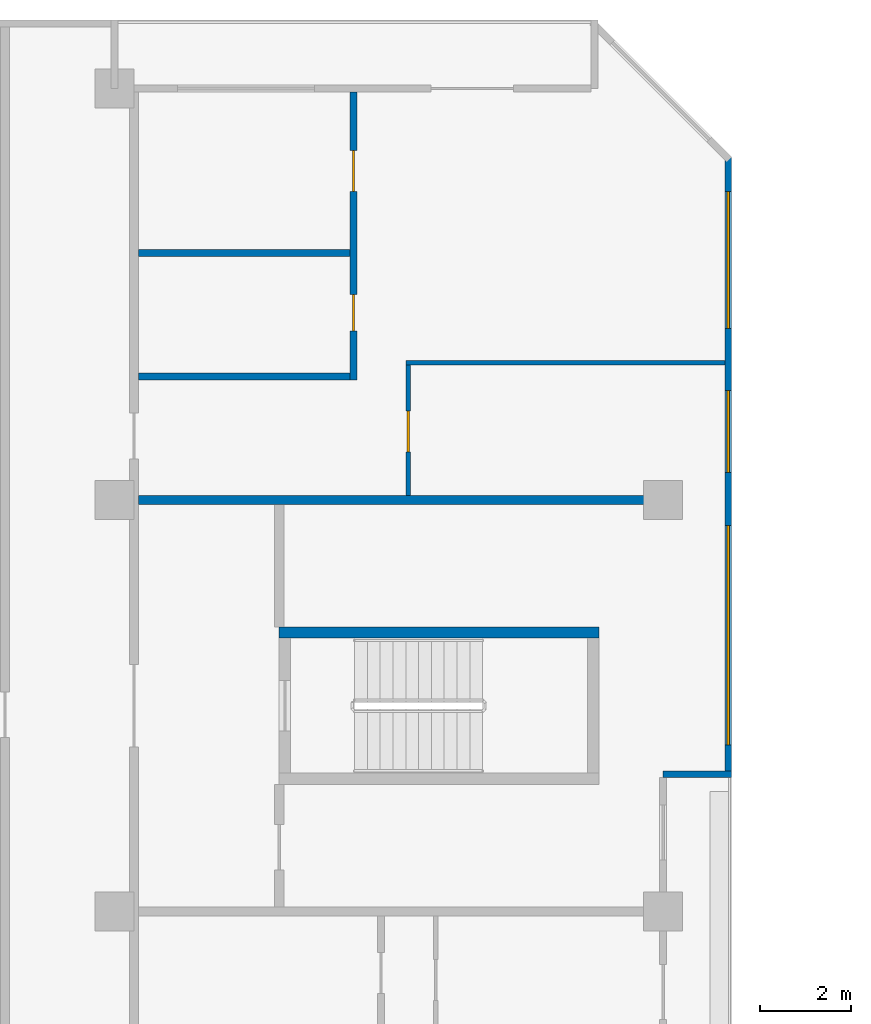
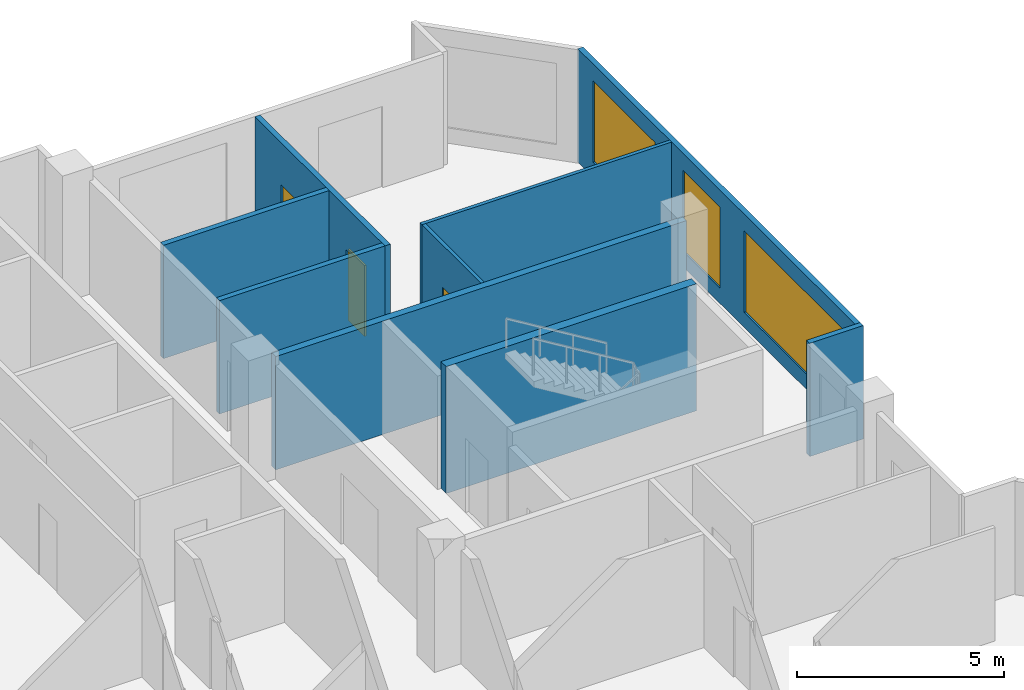
# One storey, part 11 of 15: 9 walls, 3 doors, 3 windows, 6 openings.
"""IFC4 building model written with IfcOpenShell, lengths in metres."""

from ifc_helpers import new_model, si_unit, direction, frame, frame_2d, origin, place, context, subcontext, project, spatial, rectangle, extrude, material, layer, layer_set, type_object, element, fill, save


model = new_model("IFC4")

# Units and contexts
model_context = context("Model", 3, precision=1e-05, world=origin(), true_north=direction((0.0, 1.0)))
body_context = subcontext(model_context, "Body", "Model", "MODEL_VIEW")
ifc_project = project(units=[si_unit("LENGTHUNIT", "METRE"), si_unit("AREAUNIT", "SQUARE_METRE"), si_unit("VOLUMEUNIT", "CUBIC_METRE"), si_unit("PLANEANGLEUNIT", "RADIAN"), si_unit("MASSUNIT", "GRAM", prefix="KILO")], contexts=[model_context])

# Site, building, storey
site_placement = place(None, origin())
site = spatial("IfcSite", under=ifc_project, at=site_placement, CompositionType="ELEMENT")
building_placement = place(site_placement, origin())
building = spatial("IfcBuilding", under=site, at=building_placement, Name="Chenar Terraces", CompositionType="ELEMENT")
storey_placement = place(building_placement, frame((0.0, 0.0, 249.14990234375)))
storey = spatial("IfcBuildingStorey", under=building, at=storey_placement, Name="L59", CompositionType="ELEMENT", Elevation=249.14990234375)

# Wall
ifc_material_1 = material(Name="Concrete C60/75", Category="concrete")
ifc_layer_1 = layer(ifc_material_1, 0.25)
ifc_layer_set_1 = layer_set([ifc_layer_1], Name="Concrete C60/75")
wall_type_1 = type_object("IfcWallType", Name="Core wall 250 Concrete C60/75", PredefinedType="SHEAR", material=ifc_layer_set_1)
wall_1_placement = place(storey_placement, frame((15.60009765625, 51.10009765625, 0.0), z_axis=(0.0, 0.0, 1.0), x_axis=(1.0, 0.0, 0.0)))
element("IfcWall", 1, at=wall_1_placement, inside=storey, type_object=wall_type_1, Name="Core wall ST4_N L59", PredefinedType="SHEAR", context=body_context, shape_type="SweptSolid", body=[
    extrude(rectangle(XDim=7.0, YDim=0.25, at=frame_2d((3.5, 0.0))), origin(), (0.0, 0.0, 1.0), 3.75),
])

# Wall, openings, windows
ifc_material_2 = material(Name="Aluminium framed glazing", Category="aluminium")
ifc_layer_2 = layer(ifc_material_2, 0.14990234375)
ifc_layer_set_2 = layer_set([ifc_layer_2], Name="Aluminium framed glazing")
wall_type_2 = type_object("IfcWallType", Name="Glazed flush facade wall 150", PredefinedType="SOLIDWALL", material=ifc_layer_set_2)
wall_2_placement = place(storey_placement, frame((25.425048828125, 48.074951171875, 0.0), z_axis=(0.0, 0.0, 1.0), x_axis=(0.0, 1.0, 0.0)))
wall_2 = element("IfcWall", 2, at=wall_2_placement, inside=storey, type_object=wall_type_2, Name="Glazed flush facade wall", PredefinedType="SOLIDWALL", context=body_context, shape_type="SweptSolid", body=[
    extrude(rectangle(XDim=13.425048828125, YDim=0.14990234375, at=frame_2d((6.71240234375, 0.0))), origin(), (0.0, 0.0, 1.0), 3.35009765625),
])
opening_1_placement = place(wall_2_placement, frame((0.5625, 0.0, 0.449951171875)))
opening_1 = element("IfcOpeningElement", 3, at=opening_1_placement, cuts=wall_2, Name="Opening W480x240", PredefinedType="OPENING", context=body_context, shape_type="SweptSolid", body=[
    extrude(rectangle(XDim=4.800048828125, YDim=2.39990234375, at=frame_2d((2.39990234375, 1.199951171875))), frame((0.0, 0.0849609375, 0.0), z_axis=(0.0, -1.0, 0.0), x_axis=(1.0, 0.0, 0.0)), (0.0, 0.0, 1.0), 0.169921875),
])
opening_2_placement = place(wall_2_placement, frame((6.52490234375, 0.0, 0.449951171875)))
opening_2 = element("IfcOpeningElement", 4, at=opening_2_placement, cuts=wall_2, Name="Opening W180x240", PredefinedType="OPENING", context=body_context, shape_type="SweptSolid", body=[
    extrude(rectangle(XDim=1.800048828125, YDim=2.39990234375, at=frame_2d((0.89990234375, 1.199951171875))), frame((0.0, 0.0849609375, 0.0), z_axis=(0.0, -1.0, 0.0), x_axis=(1.0, 0.0, 0.0)), (0.0, 0.0, 1.0), 0.169921875),
])
opening_3_placement = place(wall_2_placement, frame((9.675048828125, 0.0, 0.449951171875)))
opening_3 = element("IfcOpeningElement", 5, at=opening_3_placement, cuts=wall_2, Name="Opening W300x240", PredefinedType="OPENING", context=body_context, shape_type="SweptSolid", body=[
    extrude(rectangle(XDim=3.0, YDim=2.39990234375, at=frame_2d((1.5, 1.199951171875))), frame((0.0, 0.0849609375, 0.0), z_axis=(0.0, -1.0, 0.0), x_axis=(1.0, 0.0, 0.0)), (0.0, 0.0, 1.0), 0.169921875),
])
ifc_material_3 = material(Name="Low emissivity double glazing, aluminium frame", Category="aluminium")
window_type_1 = type_object("IfcWindowType", Name="Fixed light 1800 x 2400", PartitioningType="SINGLE_PANEL", PredefinedType="WINDOW", material=ifc_material_3)
window_1_placement = place(opening_2_placement, origin())
window_1 = element("IfcWindow", 6, at=window_1_placement, inside=storey, type_object=window_type_1, Name="Window", OverallHeight=2.39990234375, OverallWidth=1.800048828125, PartitioningType="SINGLE_PANEL", PredefinedType="WINDOW", context=body_context, shape_type="SweptSolid", body=[
    extrude(rectangle(XDim=1.800048828125, YDim=2.39990234375, at=frame_2d((0.89990234375, 1.199951171875))), frame((0.0, 0.030029296875, 0.0), z_axis=(0.0, -1.0, 0.0), x_axis=(1.0, 0.0, 0.0)), (0.0, 0.0, 1.0), 0.06005859375),
])
fill(opening_2, window_1)
ifc_material_4 = material(Name="Low emissivity double glazing, aluminium frame", Category="aluminium")
window_type_2 = type_object("IfcWindowType", Name="Fixed light 3000 x 2400", PartitioningType="SINGLE_PANEL", PredefinedType="WINDOW", material=ifc_material_4)
window_2_placement = place(opening_3_placement, origin())
window_2 = element("IfcWindow", 7, at=window_2_placement, inside=storey, type_object=window_type_2, Name="Window", OverallHeight=2.39990234375, OverallWidth=3.0, PartitioningType="SINGLE_PANEL", PredefinedType="WINDOW", context=body_context, shape_type="SweptSolid", body=[
    extrude(rectangle(XDim=3.0, YDim=2.39990234375, at=frame_2d((1.5, 1.199951171875))), frame((0.0, 0.030029296875, 0.0), z_axis=(0.0, -1.0, 0.0), x_axis=(1.0, 0.0, 0.0)), (0.0, 0.0, 1.0), 0.06005859375),
])
fill(opening_3, window_2)
ifc_material_5 = material(Name="Low emissivity double glazing, aluminium frame", Category="aluminium")
window_type_3 = type_object("IfcWindowType", Name="Fixed light 4800 x 2400", PartitioningType="SINGLE_PANEL", PredefinedType="WINDOW", material=ifc_material_5)
window_3_placement = place(opening_1_placement, origin())
window_3 = element("IfcWindow", 8, at=window_3_placement, inside=storey, type_object=window_type_3, Name="Window", OverallHeight=2.39990234375, OverallWidth=4.800048828125, PartitioningType="SINGLE_PANEL", PredefinedType="WINDOW", context=body_context, shape_type="SweptSolid", body=[
    extrude(rectangle(XDim=4.800048828125, YDim=2.39990234375, at=frame_2d((2.39990234375, 1.199951171875))), frame((0.0, 0.030029296875, 0.0), z_axis=(0.0, -1.0, 0.0), x_axis=(1.0, 0.0, 0.0)), (0.0, 0.0, 1.0), 0.06005859375),
])
fill(opening_1, window_3)

# Wall
ifc_material_6 = material(Name="Gypsum board on steel studs", Category="steel")
ifc_layer_3 = layer(ifc_material_6, 0.10009765625)
ifc_layer_set_3 = layer_set([ifc_layer_3], Name="Gypsum board on steel studs")
wall_type_3 = type_object("IfcWallType", Name="Gypsum partition 100", PredefinedType="PARTITIONING", material=ifc_layer_set_3)
wall_3_placement = place(storey_placement, frame((18.375, 57.0, 0.0), z_axis=(0.0, 0.0, 1.0), x_axis=(1.0, 0.0, 0.0)))
element("IfcWall", 9, at=wall_3_placement, inside=storey, type_object=wall_type_3, Name="Partition L59-050", PredefinedType="PARTITIONING", context=body_context, shape_type="SweptSolid", body=[
    extrude(rectangle(XDim=6.97509765625, YDim=0.10009765625, at=frame_2d((3.487548828125, 0.0))), origin(), (0.0, 0.0, 1.0), 3.35009765625),
])

# Wall, opening, door
wall_4_placement = place(storey_placement, frame((18.425048828125, 54.10009765625, 0.0), z_axis=(0.0, 0.0, 1.0), x_axis=(0.0, 1.0, 0.0)))
wall_4 = element("IfcWall", 10, at=wall_4_placement, inside=storey, type_object=wall_type_3, Name="Partition L59-051", PredefinedType="PARTITIONING", context=body_context, shape_type="SweptSolid", body=[
    extrude(rectangle(XDim=2.849853515625, YDim=0.10009765625, at=frame_2d((1.4248046875, 0.0))), origin(), (0.0, 0.0, 1.0), 3.35009765625),
])
opening_4_placement = place(wall_4_placement, frame((0.949951171875, 0.0, 0.0)))
opening_4 = element("IfcOpeningElement", 11, at=opening_4_placement, cuts=wall_4, Name="Opening DL59-23", PredefinedType="OPENING", context=body_context, shape_type="SweptSolid", body=[
    extrude(rectangle(XDim=0.89990234375, YDim=2.10009765625, at=frame_2d((0.449951171875, 1.050048828125))), frame((0.0, 0.06005859375, 0.0), z_axis=(0.0, -1.0, 0.0), x_axis=(1.0, 0.0, 0.0)), (0.0, 0.0, 1.0), 0.1201171875),
])
ifc_material_7 = material(Name="Veneered timber door leaf", Category="wood")
door_type_1 = type_object("IfcDoorType", Name="Door 900 x 2100", OperationType="SINGLE_SWING_LEFT", PredefinedType="DOOR", material=ifc_material_7)
door_1_placement = place(opening_4_placement, frame((0.89990234375, 0.0, 0.0), z_axis=(0.0, 0.0, 1.0), x_axis=(-1.0, 0.0, 0.0)))
door_1 = element("IfcDoor", 12, at=door_1_placement, inside=storey, type_object=door_type_1, Name="Door DL59-23", OperationType="SINGLE_SWING_LEFT", OverallHeight=2.10009765625, OverallWidth=0.89990234375, PredefinedType="DOOR", context=body_context, shape_type="SweptSolid", body=[
    extrude(rectangle(XDim=0.89990234375, YDim=2.10009765625, at=frame_2d((0.449951171875, 1.050048828125))), frame((0.0, 0.02490234375, 0.0), z_axis=(0.0, -1.0, 0.0), x_axis=(1.0, 0.0, 0.0)), (0.0, 0.0, 1.0), 0.050048828125),
])
fill(opening_4, door_1)

# Walls
ifc_material_8 = material(Name="Terracotta cladding on insulated backing", Category="masonry")
ifc_layer_4 = layer(ifc_material_8, 0.14990234375)
ifc_layer_set_4 = layer_set([ifc_layer_4], Name="Terracotta cladding on insulated backing")
wall_type_4 = type_object("IfcWallType", Name="Loggia return wall 150", PredefinedType="SOLIDWALL", material=ifc_layer_set_4)
wall_5_placement = place(storey_placement, frame((25.5, 48.0, 0.0), z_axis=(0.0, 0.0, 1.0), x_axis=(-1.0, 0.0, 0.0)))
element("IfcWall", 13, at=wall_5_placement, inside=storey, type_object=wall_type_4, Name="Loggia return wall", PredefinedType="SOLIDWALL", context=body_context, shape_type="SweptSolid", body=[
    extrude(rectangle(XDim=1.5, YDim=0.14990234375, at=frame_2d((0.75, 0.0))), origin(), (0.0, 0.0, 1.0), 3.35009765625),
])
ifc_material_9 = material(Name="Twin gypsum board on steel studs with mineral wool", Category="steel")
ifc_layer_5 = layer(ifc_material_9, 0.199951171875)
ifc_layer_set_5 = layer_set([ifc_layer_5], Name="Twin gypsum board on steel studs with mineral wool")
wall_type_5 = type_object("IfcWallType", Name="Unit demising wall 200", PredefinedType="PARTITIONING", material=ifc_layer_set_5)
wall_6_placement = place(storey_placement, frame((12.52490234375, 54.0, 0.0), z_axis=(0.0, 0.0, 1.0), x_axis=(1.0, 0.0, 0.0)))
element("IfcWall", 14, at=wall_6_placement, inside=storey, type_object=wall_type_5, Name="Partition L59-043", PredefinedType="PARTITIONING", context=body_context, shape_type="SweptSolid", body=[
    extrude(rectangle(XDim=11.47509765625, YDim=0.199951171875, at=frame_2d((5.737548828125, 0.0))), origin(), (0.0, 0.0, 1.0), 3.35009765625),
])
ifc_material_10 = material(Name="Moisture-resistant gypsum board on steel studs", Category="steel")
ifc_layer_6 = layer(ifc_material_10, 0.14990234375)
ifc_layer_set_6 = layer_set([ifc_layer_6], Name="Moisture-resistant gypsum board on steel studs")
wall_type_6 = type_object("IfcWallType", Name="Wet-room partition 150", PredefinedType="PARTITIONING", material=ifc_layer_set_6)
for number, where, z_axis, x_axis, name in (
    (15, (12.52490234375, 56.699951171875, 0.0), (0.0, 0.0, 1.0), (1.0, 0.0, 0.0), "Partition L59-044"),
    (16, (12.52490234375, 59.39990234375, 0.0), (0.0, 0.0, 1.0), (1.0, 0.0, 0.0), "Partition L59-045"),
):
    element("IfcWall", number, at=place(storey_placement, frame(where, z_axis=z_axis, x_axis=x_axis)), inside=storey, type_object=wall_type_6, Name=name, PredefinedType="PARTITIONING", context=body_context, shape_type="SweptSolid", body=[
        extrude(rectangle(XDim=4.625, YDim=0.14990234375, at=frame_2d((2.3125, 0.0))), origin(), (0.0, 0.0, 1.0), 3.35009765625),
    ])

# Wall, openings, doors
wall_7_placement = place(storey_placement, frame((17.22509765625, 56.625, 0.0), z_axis=(0.0, 0.0, 1.0), x_axis=(0.0, 1.0, 0.0)))
wall_7 = element("IfcWall", 17, at=wall_7_placement, inside=storey, type_object=wall_type_6, Name="Partition L59-048", PredefinedType="PARTITIONING", context=body_context, shape_type="SweptSolid", body=[
    extrude(rectangle(XDim=6.301025390625, YDim=0.14990234375, at=frame_2d((3.150390625, 0.0))), origin(), (0.0, 0.0, 1.0), 3.35009765625),
])
opening_5_placement = place(wall_7_placement, frame((1.074951171875, 0.0, 0.0)))
opening_5 = element("IfcOpeningElement", 18, at=opening_5_placement, cuts=wall_7, Name="Opening DL59-22", PredefinedType="OPENING", context=body_context, shape_type="SweptSolid", body=[
    extrude(rectangle(XDim=0.800048828125, YDim=2.10009765625, at=frame_2d((0.39990234375, 1.050048828125))), frame((0.0, 0.0849609375, 0.0), z_axis=(0.0, -1.0, 0.0), x_axis=(1.0, 0.0, 0.0)), (0.0, 0.0, 1.0), 0.169921875),
])
opening_6_placement = place(wall_7_placement, frame((4.125, 0.0, 0.0)))
opening_6 = element("IfcOpeningElement", 19, at=opening_6_placement, cuts=wall_7, Name="Opening DL59-24", PredefinedType="OPENING", context=body_context, shape_type="SweptSolid", body=[
    extrude(rectangle(XDim=0.89990234375, YDim=2.10009765625, at=frame_2d((0.449951171875, 1.050048828125))), frame((0.0, 0.0849609375, 0.0), z_axis=(0.0, -1.0, 0.0), x_axis=(1.0, 0.0, 0.0)), (0.0, 0.0, 1.0), 0.169921875),
])
ifc_material_11 = material(Name="Veneered timber door leaf", Category="wood")
door_type_2 = type_object("IfcDoorType", Name="Door 800 x 2100", OperationType="SINGLE_SWING_LEFT", PredefinedType="DOOR", material=ifc_material_11)
door_2_placement = place(opening_5_placement, origin())
door_2 = element("IfcDoor", 20, at=door_2_placement, inside=storey, type_object=door_type_2, Name="Door DL59-22", OperationType="SINGLE_SWING_RIGHT", OverallHeight=2.10009765625, OverallWidth=0.800048828125, PredefinedType="DOOR", context=body_context, shape_type="SweptSolid", body=[
    extrude(rectangle(XDim=0.800048828125, YDim=2.10009765625, at=frame_2d((0.39990234375, 1.050048828125))), frame((0.0, 0.02490234375, 0.0), z_axis=(0.0, -1.0, 0.0), x_axis=(1.0, 0.0, 0.0)), (0.0, 0.0, 1.0), 0.050048828125),
])
fill(opening_5, door_2)
door_3_placement = place(opening_6_placement, origin())
door_3 = element("IfcDoor", 21, at=door_3_placement, inside=storey, type_object=door_type_1, Name="Door DL59-24", OperationType="SINGLE_SWING_LEFT", OverallHeight=2.10009765625, OverallWidth=0.89990234375, PredefinedType="DOOR", context=body_context, shape_type="SweptSolid", body=[
    extrude(rectangle(XDim=0.89990234375, YDim=2.10009765625, at=frame_2d((0.449951171875, 1.050048828125))), frame((0.0, 0.02490234375, 0.0), z_axis=(0.0, -1.0, 0.0), x_axis=(1.0, 0.0, 0.0)), (0.0, 0.0, 1.0), 0.050048828125),
])
fill(opening_6, door_3)

save(model, "model.ifc")
